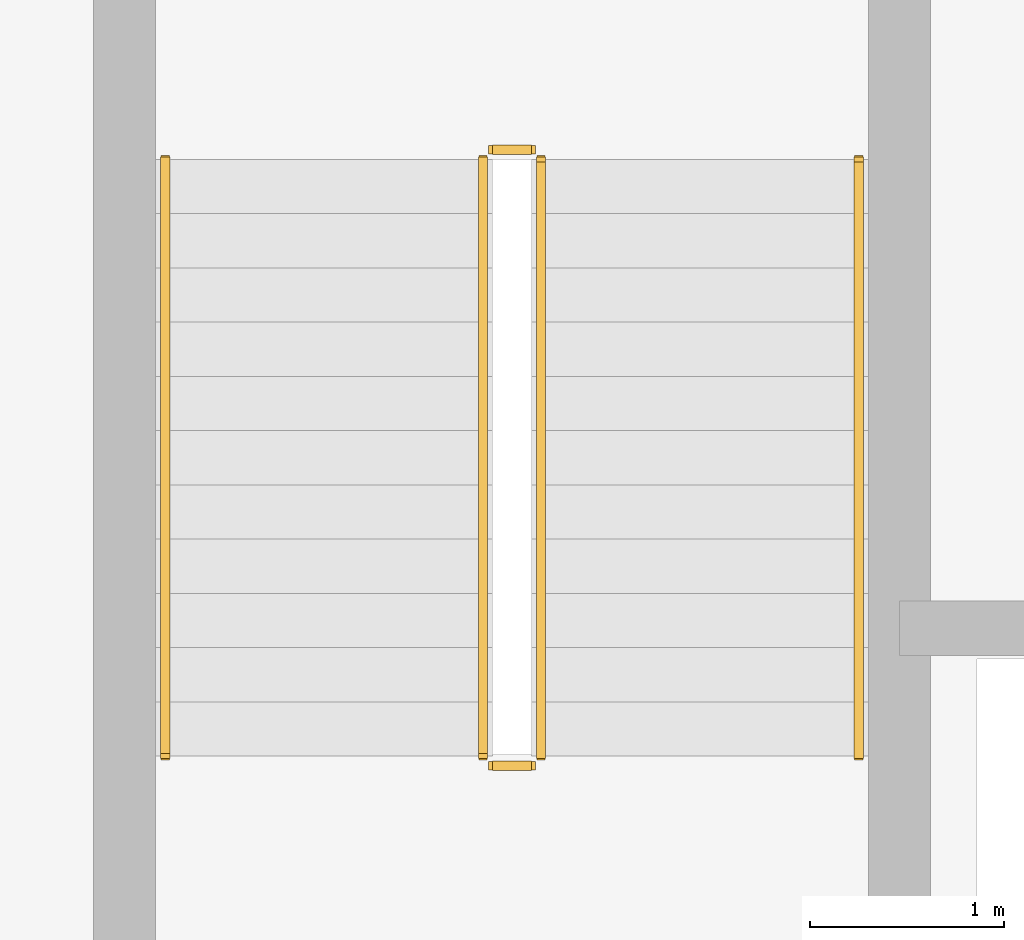
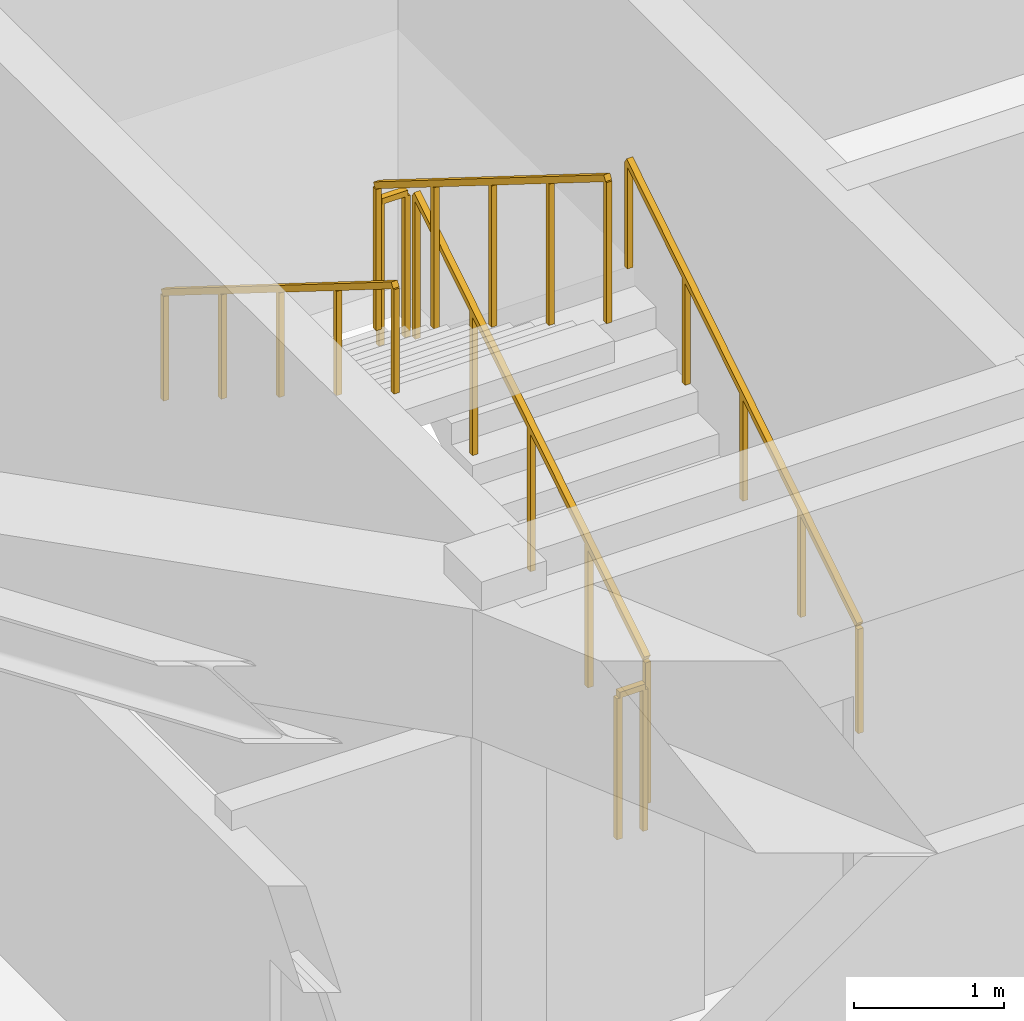
# One storey, part 5 of 5: 6 railings.
"""IFC4 building model written with IfcOpenShell, lengths in metres."""

from ifc_helpers import new_model, si_unit, direction, frame, origin, origin_2d, place, context, subcontext, project, spatial, rectangle, extrude, material, type_object, element, save


model = new_model("IFC4")

# Units and contexts
model_context = context("Model", 3, precision=1e-05, world=origin(), true_north=direction((0.0, 1.0)))
body_context = subcontext(model_context, "Body", "Model", "MODEL_VIEW")
ifc_project = project(units=[si_unit("LENGTHUNIT", "METRE"), si_unit("AREAUNIT", "SQUARE_METRE"), si_unit("VOLUMEUNIT", "CUBIC_METRE"), si_unit("PLANEANGLEUNIT", "RADIAN"), si_unit("MASSUNIT", "GRAM", prefix="KILO")], contexts=[model_context])

# Site, building, storey
site_placement = place(None, origin())
site = spatial("IfcSite", under=ifc_project, at=site_placement, CompositionType="ELEMENT")
building_placement = place(site_placement, origin())
building = spatial("IfcBuilding", under=site, at=building_placement, Name="Talyreon Biosciences Tower", CompositionType="ELEMENT")
storey_placement = place(building_placement, frame((0.0, 0.0, 325.60009765625)))
storey = spatial("IfcBuildingStorey", under=building, at=storey_placement, Name="L86", CompositionType="ELEMENT", Elevation=325.60009765625)

# Railings
ifc_material_1 = material(Name="Brushed stainless-steel tubular handrail", Category="steel")
railing_type_1 = type_object("IfcRailingType", Name="StairWallHandrail_900", PredefinedType="HANDRAIL", material=ifc_material_1)
railing_1_placement = place(storey_placement, frame((64.7900390625, 54.800048828125, 0.1748046875)))
element("IfcRailing", 1, at=railing_1_placement, inside=storey, type_object=railing_type_1, Name="L86 ST-4 stair handrail 1", PredefinedType="HANDRAIL", context=body_context, shape_type="SweptSolid", body=[
    extrude(rectangle(XDim=0.048095703125, YDim=0.048095703125, at=origin_2d()), frame((0.0, 0.0, 0.8759765625), z_axis=(0.0, 0.847979421464, 0.530029150871), x_axis=(-1.0, 0.0, 0.0)), (0.0, 0.0, 1.0), 3.632080078125),
    extrude(rectangle(XDim=0.0419921875, YDim=0.0419921875, at=origin_2d()), origin(), (0.0, 0.0, 1.0), 0.851806640625),
    extrude(rectangle(XDim=0.0419921875, YDim=0.0419921875, at=origin_2d()), frame((0.0, 0.77001953125, 0.481201171875)), (0.0, 0.0, 1.0), 0.851806640625),
    extrude(rectangle(XDim=0.0419921875, YDim=0.0419921875, at=origin_2d()), frame((0.0, 1.5400390625, 0.96240234375)), (0.0, 0.0, 1.0), 0.851806640625),
    extrude(rectangle(XDim=0.0419921875, YDim=0.0419921875, at=origin_2d()), frame((0.0, 2.309814453125, 1.44384765625)), (0.0, 0.0, 1.0), 0.851806640625),
    extrude(rectangle(XDim=0.0419921875, YDim=0.0419921875, at=origin_2d()), frame((0.0, 3.079833984375, 1.925048828125)), (0.0, 0.0, 1.0), 0.851806640625),
])
railing_2_placement = place(storey_placement, frame((61.2099609375, 57.8798828125, 2.27490234375)))
element("IfcRailing", 2, at=railing_2_placement, inside=storey, type_object=railing_type_1, Name="L86 ST-4 stair handrail 2", PredefinedType="HANDRAIL", context=body_context, shape_type="SweptSolid", body=[
    extrude(rectangle(XDim=0.048095703125, YDim=0.048095703125, at=origin_2d()), frame((0.0, 0.0, 0.8759765625), z_axis=(0.0, -0.847979421464, 0.530029150871), x_axis=(1.0, 0.0, 0.0)), (0.0, 0.0, 1.0), 3.632080078125),
    extrude(rectangle(XDim=0.0419921875, YDim=0.0419921875, at=origin_2d()), origin(), (0.0, 0.0, 1.0), 0.851806640625),
    extrude(rectangle(XDim=0.0419921875, YDim=0.0419921875, at=origin_2d()), frame((0.0, -0.77001953125, 0.481201171875)), (0.0, 0.0, 1.0), 0.851806640625),
    extrude(rectangle(XDim=0.0419921875, YDim=0.0419921875, at=origin_2d()), frame((0.0, -1.5400390625, 0.96240234375)), (0.0, 0.0, 1.0), 0.851806640625),
    extrude(rectangle(XDim=0.0419921875, YDim=0.0419921875, at=origin_2d()), frame((0.0, -2.309814453125, 1.44384765625)), (0.0, 0.0, 1.0), 0.851806640625),
    extrude(rectangle(XDim=0.0419921875, YDim=0.0419921875, at=origin_2d()), frame((0.0, -3.079833984375, 1.925048828125)), (0.0, 0.0, 1.0), 0.851806640625),
])
ifc_material_2 = material(Name="Painted galvanised steel post-and-rail balustrade", Category="steel")
railing_type_2 = type_object("IfcRailingType", Name="TerraceStairGuard_1200", PredefinedType="GUARDRAIL", material=ifc_material_2)
railing_3_placement = place(storey_placement, frame((63.14990234375, 54.800048828125, 0.1748046875)))
element("IfcRailing", 3, at=railing_3_placement, inside=storey, type_object=railing_type_2, Name="L86 ST-4 stair guard 1", PredefinedType="GUARDRAIL", context=body_context, shape_type="SweptSolid", body=[
    extrude(rectangle(XDim=0.048095703125, YDim=0.048095703125, at=origin_2d()), frame((0.0, 0.0, 1.17578125), z_axis=(0.0, 0.847979421464, 0.530029150871), x_axis=(-1.0, 0.0, 0.0)), (0.0, 0.0, 1.0), 3.632080078125),
    extrude(rectangle(XDim=0.0419921875, YDim=0.0419921875, at=origin_2d()), origin(), (0.0, 0.0, 1.0), 1.15185546875),
    extrude(rectangle(XDim=0.0419921875, YDim=0.0419921875, at=origin_2d()), frame((0.0, 0.77001953125, 0.481201171875)), (0.0, 0.0, 1.0), 1.15185546875),
    extrude(rectangle(XDim=0.0419921875, YDim=0.0419921875, at=origin_2d()), frame((0.0, 1.5400390625, 0.96240234375)), (0.0, 0.0, 1.0), 1.15185546875),
    extrude(rectangle(XDim=0.0419921875, YDim=0.0419921875, at=origin_2d()), frame((0.0, 2.309814453125, 1.44384765625)), (0.0, 0.0, 1.0), 1.15185546875),
    extrude(rectangle(XDim=0.0419921875, YDim=0.0419921875, at=origin_2d()), frame((0.0, 3.079833984375, 1.925048828125)), (0.0, 0.0, 1.0), 1.15185546875),
])
railing_4_placement = place(storey_placement, frame((63.10009765625, 57.929931640625, 2.099853515625)))
element("IfcRailing", 4, at=railing_4_placement, inside=storey, type_object=railing_type_2, Name="L86 ST-4 stair guard 2", PredefinedType="GUARDRAIL", context=body_context, shape_type="SweptSolid", body=[
    extrude(rectangle(XDim=0.048095703125, YDim=0.048095703125, at=origin_2d()), frame((0.0, 0.0, 1.17578125), z_axis=(-1.0, 0.0, 0.0), x_axis=(0.0, -1.0, 0.0)), (0.0, 0.0, 1.0), 0.2001953125),
    extrude(rectangle(XDim=0.0419921875, YDim=0.0419921875, at=origin_2d()), origin(), (0.0, 0.0, 1.0), 1.15185546875),
    extrude(rectangle(XDim=0.0419921875, YDim=0.0419921875, at=origin_2d()), frame((-0.2001953125, 0.0, 0.0)), (0.0, 0.0, 1.0), 1.15185546875),
])
railing_5_placement = place(storey_placement, frame((62.85009765625, 57.8798828125, 2.27490234375)))
element("IfcRailing", 5, at=railing_5_placement, inside=storey, type_object=railing_type_2, Name="L86 ST-4 stair guard 3", PredefinedType="GUARDRAIL", context=body_context, shape_type="SweptSolid", body=[
    extrude(rectangle(XDim=0.048095703125, YDim=0.048095703125, at=origin_2d()), frame((0.0, 0.0, 1.17578125), z_axis=(0.0, -0.847979421464, 0.530029150871), x_axis=(1.0, 0.0, 0.0)), (0.0, 0.0, 1.0), 3.632080078125),
    extrude(rectangle(XDim=0.0419921875, YDim=0.0419921875, at=origin_2d()), origin(), (0.0, 0.0, 1.0), 1.15185546875),
    extrude(rectangle(XDim=0.0419921875, YDim=0.0419921875, at=origin_2d()), frame((0.0, -0.77001953125, 0.481201171875)), (0.0, 0.0, 1.0), 1.15185546875),
    extrude(rectangle(XDim=0.0419921875, YDim=0.0419921875, at=origin_2d()), frame((0.0, -1.5400390625, 0.96240234375)), (0.0, 0.0, 1.0), 1.15185546875),
    extrude(rectangle(XDim=0.0419921875, YDim=0.0419921875, at=origin_2d()), frame((0.0, -2.309814453125, 1.44384765625)), (0.0, 0.0, 1.0), 1.15185546875),
    extrude(rectangle(XDim=0.0419921875, YDim=0.0419921875, at=origin_2d()), frame((0.0, -3.079833984375, 1.925048828125)), (0.0, 0.0, 1.0), 1.15185546875),
])
railing_6_placement = place(storey_placement, frame((63.10009765625, 54.75, 0.0)))
element("IfcRailing", 6, at=railing_6_placement, inside=storey, type_object=railing_type_2, Name="L86 ST-4 stair guard 4", PredefinedType="GUARDRAIL", context=body_context, shape_type="SweptSolid", body=[
    extrude(rectangle(XDim=0.048095703125, YDim=0.048095703125, at=origin_2d()), frame((0.0, 0.0, 1.17578125), z_axis=(-1.0, 0.0, 0.0), x_axis=(0.0, -1.0, 0.0)), (0.0, 0.0, 1.0), 0.2001953125),
    extrude(rectangle(XDim=0.0419921875, YDim=0.0419921875, at=origin_2d()), origin(), (0.0, 0.0, 1.0), 1.15185546875),
    extrude(rectangle(XDim=0.0419921875, YDim=0.0419921875, at=origin_2d()), frame((-0.2001953125, 0.0, 0.0)), (0.0, 0.0, 1.0), 1.15185546875),
])

save(model, "model.ifc")
